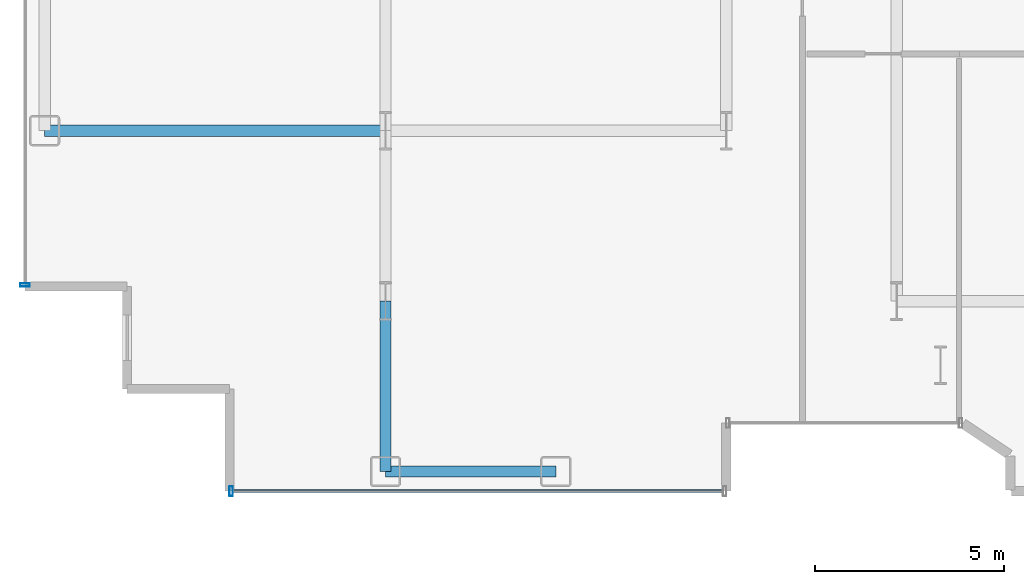
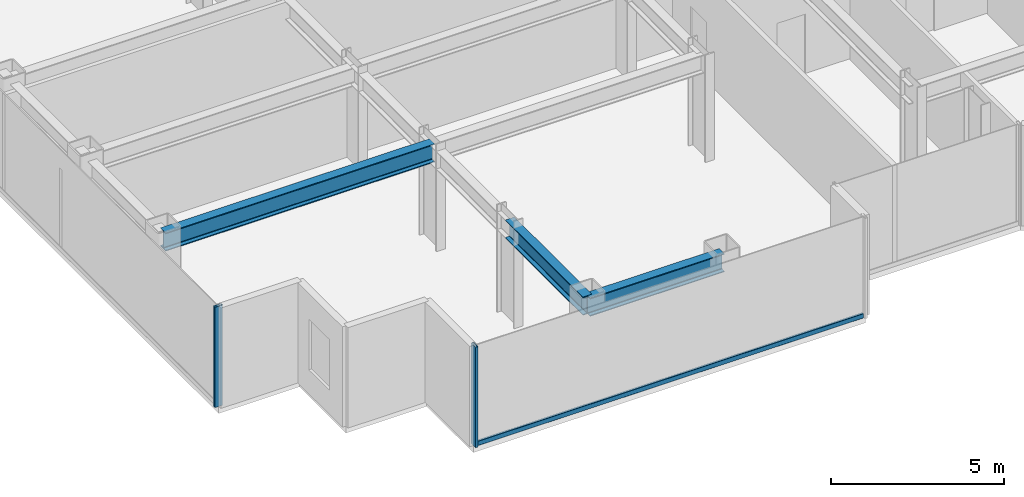
# One storey, part 2 of 26: 3 beams, 3 members, 2 elements without a shape of their own.
"""IFC4 building model written with IfcOpenShell, lengths in metres."""

from ifc_helpers import new_model, si_unit, direction, frame, origin, origin_2d, place, context, subcontext, project, spatial, hollow_rectangle, i_section, extrude, source, transform, mapped, material, layer, layer_set, material_profile, profile_set, type_object, element, aggregate, save


model = new_model("IFC4")

# Units and contexts
model_context = context("Model", 3, precision=1e-05, world=origin(), true_north=direction((0.0, 1.0)))
body_context = subcontext(model_context, "Body", "Model", "MODEL_VIEW")
ifc_project = project(units=[si_unit("LENGTHUNIT", "METRE"), si_unit("AREAUNIT", "SQUARE_METRE"), si_unit("VOLUMEUNIT", "CUBIC_METRE"), si_unit("PLANEANGLEUNIT", "RADIAN"), si_unit("MASSUNIT", "GRAM", prefix="KILO")], contexts=[model_context])

# Site, building, storey
site_placement = place(None, origin())
site = spatial("IfcSite", under=ifc_project, at=site_placement, CompositionType="ELEMENT")
building_placement = place(site_placement, origin())
building = spatial("IfcBuilding", under=site, at=building_placement, Name="Nefas-Gora Pilgrimage Tower", CompositionType="ELEMENT")
storey_placement = place(building_placement, frame((0.0, 0.0, 121.199951171875)))
storey = spatial("IfcBuildingStorey", under=building, at=storey_placement, Name="L29", CompositionType="ELEMENT", Elevation=121.199951171875)

# Beams
ifc_material_1 = material(Name="Steel S355", Category="steel")
ifc_material_profile_1 = material_profile(ifc_material_1, i_section(OverallWidth=0.300048828125, OverallDepth=0.64990234375, WebThickness=0.01611328125, FlangeThickness=0.031005859375, FilletRadius=0.027099609375, at=origin_2d()), Name="HEB 650")
ifc_profile_set_1 = profile_set([ifc_material_profile_1], Name="Steel S355")
beam_type_1 = type_object("IfcBeamType", Name="BM-SPN-HEB500", PredefinedType="SPANDREL", material=ifc_profile_set_1)
shared_shape_1 = source(origin(), body_context, "Body", "SweptSolid", [
    extrude(i_section(OverallWidth=0.300048828125, OverallDepth=0.64990234375, WebThickness=0.01611328125, FlangeThickness=0.031005859375, FilletRadius=0.027099609375, at=origin_2d()), origin(), (0.0, 0.0, 1.0), 4.5),
])
beam_1_placement = place(storey_placement, frame((-24.75, -22.5, 3.22509765625), z_axis=(1.0, 0.0, 0.0), x_axis=(0.0, 1.0, 0.0)))
element("IfcBeam", 1, at=beam_1_placement, inside=storey, type_object=beam_type_1, Name="L29 SP-02 beam", PredefinedType="SPANDREL", context=body_context, shape_type="MappedRepresentation", body=[
    mapped(shared_shape_1, transform((0.0, 0.0, 0.0), x_axis=(1.0, 0.0, 0.0), y_axis=(0.0, 1.0, 0.0), z_axis=(0.0, 0.0, 1.0), scale=1.0)),
])
ifc_material_profile_2 = material_profile(ifc_material_1, i_section(OverallWidth=0.300048828125, OverallDepth=0.64990234375, WebThickness=0.01611328125, FlangeThickness=0.031005859375, FilletRadius=0.027099609375, at=origin_2d()), Name="HEB 650")
ifc_profile_set_2 = profile_set([ifc_material_profile_2], Name="Steel S355")
beam_type_2 = type_object("IfcBeamType", Name="BM-GIR-HEB650", PredefinedType="BEAM", material=ifc_profile_set_2)
shared_shape_2 = source(origin(), body_context, "Body", "SweptSolid", [
    extrude(i_section(OverallWidth=0.300048828125, OverallDepth=0.64990234375, WebThickness=0.01611328125, FlangeThickness=0.031005859375, FilletRadius=0.027099609375, at=origin_2d()), origin(), (0.0, 0.0, 1.0), 9.0),
])
beam_2_placement = place(storey_placement, frame((-33.75, -13.5, 3.22509765625), z_axis=(1.0, 0.0, 0.0), x_axis=(0.0, 1.0, 0.0)))
element("IfcBeam", 2, at=beam_2_placement, inside=storey, type_object=beam_type_2, Name="L29 G-03 beam", PredefinedType="BEAM", context=body_context, shape_type="MappedRepresentation", body=[
    mapped(shared_shape_2, transform((0.0, 0.0, 0.0), x_axis=(1.0, 0.0, 0.0), y_axis=(0.0, 1.0, 0.0), z_axis=(0.0, 0.0, 1.0), scale=1.0)),
])
shared_shape_3 = source(origin(), body_context, "Body", "SweptSolid", [
    extrude(i_section(OverallWidth=0.300048828125, OverallDepth=0.64990234375, WebThickness=0.01611328125, FlangeThickness=0.031005859375, FilletRadius=0.027099609375, at=origin_2d()), origin(), (0.0, 0.0, 1.0), 4.5),
])
beam_3_placement = place(storey_placement, frame((-24.75, -22.5, 3.22509765625), z_axis=(0.0, 1.0, 0.0), x_axis=(-1.0, 0.0, 0.0)))
element("IfcBeam", 3, at=beam_3_placement, inside=storey, type_object=beam_type_2, Name="L29 G-03 beam", PredefinedType="BEAM", context=body_context, shape_type="MappedRepresentation", body=[
    mapped(shared_shape_3, transform((0.0, 0.0, 0.0), x_axis=(1.0, 0.0, 0.0), y_axis=(0.0, 1.0, 0.0), z_axis=(0.0, 0.0, 1.0), scale=1.0)),
])

# Curtain wall, member
ifc_material_2 = material(Name="Dark ceramic-fritted solar-control aluminium-glass curtain wall", Category="aluminium")
ifc_layer = layer(ifc_material_2, 0.219970703125)
ifc_layer_set = layer_set([ifc_layer], Name="Dark ceramic-fritted solar-control aluminium-glass curtain wall")
curtain_wall_type = type_object("IfcCurtainWallType", Name="CW-SYS-2", PredefinedType="NOTDEFINED", material=ifc_layer_set)
curtain_wall_1_placement = place(storey_placement, origin())
curtain_wall_1 = element("IfcCurtainWall", 4, at=curtain_wall_1_placement, inside=storey, type_object=curtain_wall_type, Name="L29 Unitised Curtain Wall CW2", PredefinedType="NOTDEFINED")
ifc_material_3 = material(Name="Anodised architectural aluminium", Category="aluminium")
ifc_material_profile_3 = material_profile(ifc_material_3, hollow_rectangle(XDim=0.090087890625, YDim=0.260009765625, WallThickness=0.006103515625, InnerFilletRadius=0.006103515625, OuterFilletRadius=0.011962890625, at=origin_2d()), Name="ALU MULLION 90x260")
ifc_profile_set_3 = profile_set([ifc_material_profile_3], Name="Anodised architectural aluminium")
member_type_1 = type_object("IfcMemberType", Name="CWM-MUL-2", PredefinedType="MULLION", material=ifc_profile_set_3)
shared_shape_4 = source(origin(), body_context, "Body", "SweptSolid", [
    extrude(hollow_rectangle(XDim=0.090087890625, YDim=0.260009765625, WallThickness=0.006103515625, InnerFilletRadius=0.006103515625, OuterFilletRadius=0.011962890625, at=origin_2d()), origin(), (0.0, 0.0, 1.0), 3.550048828125),
])
member_1_placement = place(storey_placement, frame((-34.27001953125, -17.574951171875, 0.0), z_axis=(0.0, 0.0, 1.0), x_axis=(0.0, -1.0, 0.0)))
member_1 = element("IfcMember", 5, at=member_1_placement, type_object=member_type_1, Name="CW2 Mullion 2", PredefinedType="MULLION", context=body_context, shape_type="MappedRepresentation", body=[
    mapped(shared_shape_4, transform((0.0, 0.0, 0.0), x_axis=(1.0, 0.0, 0.0), y_axis=(0.0, 1.0, 0.0), z_axis=(0.0, 0.0, 1.0), scale=1.0)),
])
aggregate(curtain_wall_1, [member_1])

# Curtain wall, members
curtain_wall_2_placement = place(storey_placement, origin())
curtain_wall_2 = element("IfcCurtainWall", 6, at=curtain_wall_2_placement, inside=storey, type_object=curtain_wall_type, Name="L29 Unitised Curtain Wall CW2", PredefinedType="NOTDEFINED")
member_2_placement = place(storey_placement, frame((-28.824951171875, -23.02001953125, 0.0), z_axis=(0.0, 0.0, 1.0), x_axis=(1.0, 0.0, 0.0)))
member_2 = element("IfcMember", 7, at=member_2_placement, type_object=member_type_1, Name="CW2 Mullion 1", PredefinedType="MULLION", context=body_context, shape_type="MappedRepresentation", body=[
    mapped(shared_shape_4, transform((0.0, 0.0, 0.0), x_axis=(1.0, 0.0, 0.0), y_axis=(0.0, 1.0, 0.0), z_axis=(0.0, 0.0, 1.0), scale=1.0)),
])
ifc_material_profile_4 = material_profile(ifc_material_3, hollow_rectangle(XDim=0.080078125, YDim=0.159912109375, WallThickness=0.00439453125, InnerFilletRadius=0.00439453125, OuterFilletRadius=0.009033203125, at=origin_2d()), Name="ALU TRANSOM 80x160")
ifc_profile_set_4 = profile_set([ifc_material_profile_4], Name="Anodised architectural aluminium")
member_type_2 = type_object("IfcMemberType", Name="CWM-TRN-2", PredefinedType="USERDEFINED", material=ifc_profile_set_4)
shared_shape_5 = source(origin(), body_context, "Body", "SweptSolid", [
    extrude(hollow_rectangle(XDim=0.080078125, YDim=0.159912109375, WallThickness=0.00439453125, InnerFilletRadius=0.00439453125, OuterFilletRadius=0.009033203125, at=origin_2d()), origin(), (0.0, 0.0, 1.0), 12.93994140625),
])
member_3_placement = place(storey_placement, frame((-28.780029296875, -23.02001953125, 0.050048828125), z_axis=(1.0, 0.0, 0.0), x_axis=(0.0, 1.0, 0.0)))
member_3 = element("IfcMember", 8, at=member_3_placement, type_object=member_type_2, Name="CW2 Spandrel Transom", ObjectType="TRANSOM", PredefinedType="USERDEFINED", context=body_context, shape_type="MappedRepresentation", body=[
    mapped(shared_shape_5, transform((0.0, 0.0, 0.0), x_axis=(1.0, 0.0, 0.0), y_axis=(0.0, 1.0, 0.0), z_axis=(0.0, 0.0, 1.0), scale=1.0)),
])
aggregate(curtain_wall_2, [member_2, member_3])

save(model, "model.ifc")
